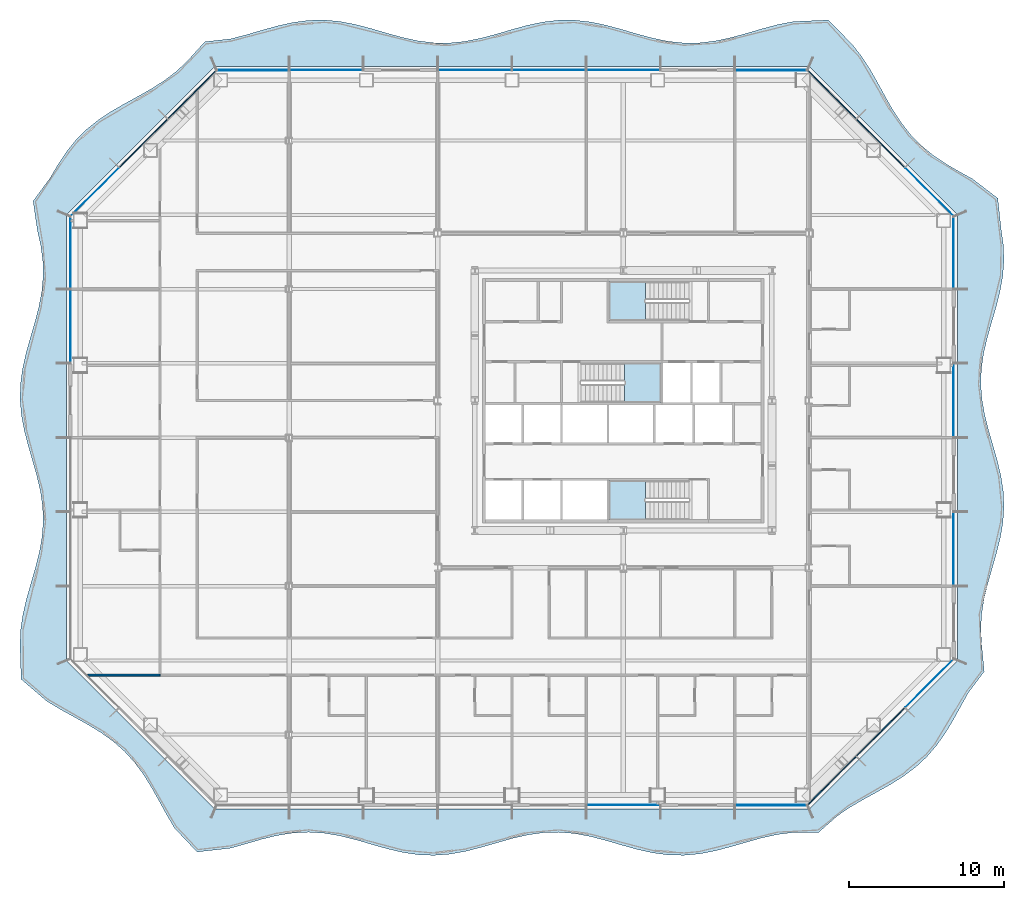
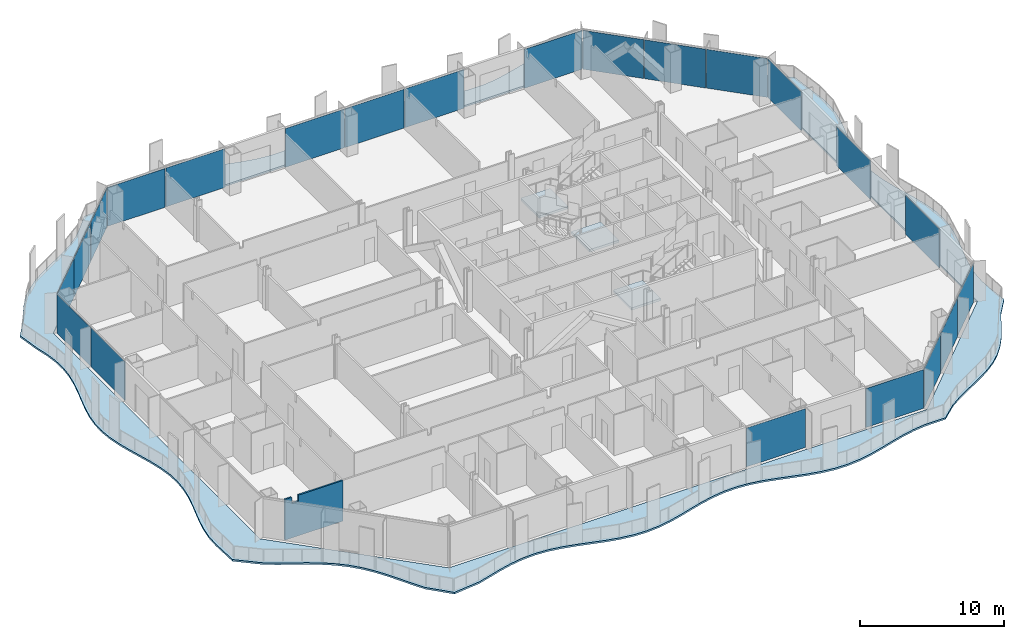
# One storey, part 5 of 20: 22 plates, 4 slabs, 1 wall, 10 elements without a shape of their own.
"""IFC4 building model written with IfcOpenShell, lengths in metres."""

from ifc_helpers import new_model, si_unit, direction, frame, origin, origin_2d, place, context, subcontext, project, spatial, polyline, rectangle, outline, extrude, material, layer, layer_set, type_object, element, aggregate, save


model = new_model("IFC4")

# Units and contexts
model_context = context("Model", 3, precision=1e-05, world=origin(), true_north=direction((0.0, 1.0)))
body_context = subcontext(model_context, "Body", "Model", "MODEL_VIEW")
ifc_project = project(units=[si_unit("LENGTHUNIT", "METRE"), si_unit("AREAUNIT", "SQUARE_METRE"), si_unit("VOLUMEUNIT", "CUBIC_METRE"), si_unit("PLANEANGLEUNIT", "RADIAN"), si_unit("MASSUNIT", "GRAM", prefix="KILO")], contexts=[model_context])

# Site, building, storey
site_placement = place(None, origin())
site = spatial("IfcSite", under=ifc_project, at=site_placement, CompositionType="ELEMENT")
building_placement = place(site_placement, origin())
building = spatial("IfcBuilding", under=site, at=building_placement, Name="Cairn Pilgrim Tower", CompositionType="ELEMENT")
storey_placement = place(building_placement, frame((0.0, 0.0, 83.39990234375)))
storey = spatial("IfcBuildingStorey", under=building, at=storey_placement, Name="L19", CompositionType="ELEMENT", Elevation=83.39990234375)

# Slab
ifc_material_1 = material(Name="Concrete C35/45", Category="concrete")
ifc_layer_1 = layer(ifc_material_1, 0.14990234375)
ifc_layer_set_1 = layer_set([ifc_layer_1], Name="BALCONY SLAB 150 CONCRETE C35/45")
slab_type_1 = type_object("IfcSlabType", Name="BALCONY SLAB 150 CONCRETE C35/45", PredefinedType="FLOOR", material=ifc_layer_set_1)
slab_1_placement = place(storey_placement, frame((0.0, 0.0, -0.14990234375)))
element("IfcSlab", 1, at=slab_1_placement, inside=storey, type_object=slab_type_1, Name="Balcony slab BS-1", PredefinedType="FLOOR", context=body_context, shape_type="SweptSolid", body=[
    extrude(outline(polyline([(-21.810791015625, -25.239501953125), (-20.3515625, -26.7802734375), (-18.189453125, -26.5341796875), (-17.178955078125, -26.243896484375), (-16.16845703125, -25.954345703125), (-15.157958984375, -25.7109375), (-14.1474609375, -25.55126953125), (-13.136962890625, -25.500244140625), (-12.126220703125, -25.565673828125), (-11.11572265625, -25.737548828125), (-10.105224609375, -25.989013671875), (-9.0947265625, -26.281005859375), (-8.084228515625, -26.568115234375), (-7.07373046875, -26.805908203125), (-6.063232421875, -26.957275390625), (-5.052734375, -26.998779296875), (-4.0419921875, -26.923828125), (-3.031494140625, -26.744140625), (-2.02099609375, -26.487548828125), (-1.010498046875, -26.1943359375), (0.0, -25.909423828125), (1.010498046875, -25.677734375), (2.02099609375, -25.534912109375), (3.031494140625, -25.503173828125), (4.0419921875, -25.58740234375), (5.052734375, -25.77490234375), (6.063232421875, -26.035888671875), (7.07373046875, -26.33056640625), (8.084228515625, -26.6123046875), (9.0947265625, -26.838134765625), (10.105224609375, -26.97216796875), (11.11572265625, -26.994140625), (12.126220703125, -26.900634765625), (13.136962890625, -26.705810546875), (14.1474609375, -26.440185546875), (15.157958984375, -26.14501953125), (16.16845703125, -25.865966796875), (17.178955078125, -25.64697265625), (18.189453125, -25.521484375), (19.8251953125, -25.50927734375), (21.021240234375, -24.449951171875), (21.840576171875, -23.897705078125), (22.7060546875, -23.391845703125), (23.591796875, -22.906005859375), (24.46923828125, -22.412109375), (25.31103515625, -21.882568359375), (26.094482421875, -21.294677734375), (26.805908203125, -20.634521484375), (27.441650390625, -19.898681640625), (28.008544921875, -19.09423828125), (28.523681640625, -18.238037109375), (29.011962890625, -17.354736328125), (29.5009765625, -16.472412109375), (30.524658203125, -15.1142578125), (30.360595703125, -13.406982421875), (30.300048828125, -12.413818359375), (30.352294921875, -11.420654296875), (30.509033203125, -10.427490234375), (30.747314453125, -9.4345703125), (31.03076171875, -8.44140625), (31.3173828125, -7.4482421875), (31.563720703125, -6.455078125), (31.73291015625, -5.462158203125), (31.799560546875, -4.468994140625), (31.753662109375, -3.475830078125), (31.60205078125, -2.482666015625), (31.367431640625, -1.48974609375), (31.08544921875, -0.49658203125), (30.7978515625, 0.49658203125), (30.54833984375, 1.48974609375), (30.3740234375, 2.482666015625), (30.30126953125, 3.475830078125), (30.341064453125, 4.468994140625), (30.487060546875, 5.462158203125), (30.7177734375, 6.455078125), (30.99853515625, 7.4482421875), (31.286865234375, 8.44140625), (31.53955078125, 9.4345703125), (31.71875, 10.427490234375), (31.797607421875, 11.420654296875), (31.76416015625, 12.413818359375), (31.62353515625, 13.406982421875), (31.396728515625, 15.4755859375), (29.758056640625, 16.7294921875), (28.872314453125, 17.21533203125), (28.0078125, 17.72216796875), (27.18994140625, 18.275634765625), (26.437744140625, 18.89501953125), (25.7607421875, 19.58935546875), (25.15771484375, 20.357666015625), (24.61669921875, 21.18798828125), (24.116943359375, 22.059814453125), (23.632080078125, 22.9462890625), (23.133056640625, 23.818603515625), (22.593017578125, 24.650146484375), (21.991455078125, 25.420166015625), (20.439697265625, 26.992919921875), (18.189453125, 26.89501953125), (17.178955078125, 26.697021484375), (16.16845703125, 26.429443359375), (15.157958984375, 26.134033203125), (14.1474609375, 25.856689453125), (13.136962890625, 25.640380859375), (12.126220703125, 25.51904296875), (11.11572265625, 25.510986328125), (10.105224609375, 25.617919921875), (9.0947265625, 25.8232421875), (8.084228515625, 26.0947265625), (7.07373046875, 26.390380859375), (6.063232421875, 26.6640625), (5.052734375, 26.87353515625), (4.0419921875, 26.986083984375), (3.031494140625, 26.984375), (2.02099609375, 26.868408203125), (1.010498046875, 26.65625), (0.0, 26.381103515625), (-1.010498046875, 26.08544921875), (-2.02099609375, 25.8154296875), (-3.031494140625, 25.613037109375), (-4.0419921875, 25.509521484375), (-5.052734375, 25.52099609375), (-6.063232421875, 25.64599609375), (-7.07373046875, 25.86474609375), (-8.084228515625, 26.1435546875), (-9.0947265625, 26.438720703125), (-10.105224609375, 26.70458984375), (-11.11572265625, 26.89990234375), (-12.126220703125, 26.994140625), (-13.136962890625, 26.97265625), (-14.1474609375, 26.8388671875), (-15.157958984375, 26.61376953125), (-16.16845703125, 26.33203125), (-17.178955078125, 26.037353515625), (-18.189453125, 25.77587890625), (-19.85791015625, 25.588134765625), (-20.949462890625, 24.378173828125), (-21.651611328125, 23.708740234375), (-22.4267578125, 23.112548828125), (-23.262451171875, 22.57666015625), (-24.136962890625, 22.079833984375), (-25.023193359375, 21.5947265625), (-25.892822265625, 21.0927734375), (-26.718994140625, 20.54736328125), (-27.481689453125, 19.93896484375), (-28.170166015625, 19.255859375), (-28.783935546875, 18.498046875), (-29.3330078125, 17.67578125), (-29.837158203125, 16.80859375), (-30.953369140625, 15.2919921875), (-30.677734375, 13.406982421875), (-30.458251953125, 12.413818359375), (-30.327392578125, 11.420654296875), (-30.30517578125, 10.427490234375), (-30.394775390625, 9.4345703125), (-30.5830078125, 8.44140625), (-30.841064453125, 7.4482421875), (-31.130615234375, 6.455078125), (-31.407958984375, 5.462158203125), (-31.631591796875, 4.468994140625), (-31.76806640625, 3.475830078125), (-31.79638671875, 2.482666015625), (-31.712890625, 1.48974609375), (-31.52978515625, 0.49658203125), (-31.2744140625, -0.49658203125), (-30.985595703125, -1.48974609375), (-30.706298828125, -2.482666015625), (-30.478759765625, -3.475830078125), (-30.3369140625, -4.468994140625), (-30.302001953125, -5.462158203125), (-30.379638671875, -6.455078125), (-30.557861328125, -7.4482421875), (-30.81005859375, -8.44140625), (-31.09814453125, -9.4345703125), (-31.379150390625, -10.427490234375), (-31.610595703125, -11.420654296875), (-31.758056640625, -12.413818359375), (-31.798828125, -13.406982421875), (-31.7275390625, -15.612548828125), (-30.0654296875, -17.036865234375), (-29.209228515625, -17.552001953125), (-28.325927734375, -18.0400390625), (-27.443603515625, -18.529296875), (-26.590576171875, -19.0478515625), (-25.791015625, -19.61962890625), (-25.06103515625, -20.260986328125), (-24.40673828125, -20.978271484375), (-23.82421875, -21.76708984375), (-23.298095703125, -22.6123046875), (-22.805908203125, -23.491455078125), (-22.319580078125, -24.376708984375), (-21.810791015625, -25.239501953125)]), holes=[polyline([(19.199951171875, -24.0), (-19.199951171875, -24.0), (-28.800048828125, -14.39990234375), (-28.800048828125, 14.39990234375), (-19.199951171875, 24.0), (19.199951171875, 24.0), (28.800048828125, 14.39990234375), (28.800048828125, -14.39990234375), (19.199951171875, -24.0)])]), origin(), (0.0, 0.0, 1.0), 0.14990234375),
])

# Curtain wall, plate
ifc_material_2 = material(Name="Aluminium alloy 6063-T6 bronze anodised with Bronze tinted laminated low-E glass 8+16+8.8", Category="aluminium")
curtain_wall_type_1 = type_object("IfcCurtainWallType", Name="CHAMFER CORNER CURTAIN WALL", PredefinedType="NOTDEFINED", material=ifc_material_2)
curtain_wall_1_placement = place(storey_placement, origin())
curtain_wall_1 = element("IfcCurtainWall", 2, at=curtain_wall_1_placement, inside=storey, type_object=curtain_wall_type_1, Name="Chamfer Corner Curtain Wall SE", PredefinedType="NOTDEFINED")
ifc_material_3 = material(Name="Bronze anodised aluminium spandrel panel with mineral wool insulation", Category="aluminium")
ifc_layer_2 = layer(ifc_material_3, 0.06005859375)
ifc_layer_set_2 = layer_set([ifc_layer_2], Name="SPANDREL PANEL 4386x3300")
plate_type_1 = type_object("IfcPlateType", Name="SPANDREL PANEL 4386x3300", PredefinedType="CURTAIN_PANEL", material=ifc_layer_set_2)
plate_1_placement = place(storey_placement, frame((20.675537109375, -22.1708984375, 0.0), z_axis=(0.0, 0.0, 1.0), x_axis=(0.707106781187, 0.707106781187, 0.0)))
plate_1 = element("IfcPlate", 3, at=plate_1_placement, type_object=plate_type_1, Name="Spandrel Panel SE1-1", PredefinedType="CURTAIN_PANEL", context=body_context, shape_type="SweptSolid", body=[
    extrude(rectangle(XDim=4.386474609375, YDim=0.06005859375, at=origin_2d()), origin(), (0.0, 0.0, 1.0), 3.300048828125),
])

curtain_wall_2_placement = place(storey_placement, origin())
curtain_wall_2 = element("IfcCurtainWall", 4, at=curtain_wall_2_placement, inside=storey, type_object=curtain_wall_type_1, Name="Chamfer Corner Curtain Wall NE", PredefinedType="NOTDEFINED")
plate_2_placement = place(storey_placement, frame((20.675537109375, 22.1708984375, 0.0), z_axis=(0.0, 0.0, 1.0), x_axis=(-0.707106781187, 0.707106781187, 0.0)))
plate_2 = element("IfcPlate", 5, at=plate_2_placement, type_object=plate_type_1, Name="Spandrel Panel NE3-1", PredefinedType="CURTAIN_PANEL", context=body_context, shape_type="SweptSolid", body=[
    extrude(rectangle(XDim=4.386474609375, YDim=0.06005859375, at=origin_2d()), origin(), (0.0, 0.0, 1.0), 3.300048828125),
])

curtain_wall_3_placement = place(storey_placement, origin())
curtain_wall_3 = element("IfcCurtainWall", 6, at=curtain_wall_3_placement, inside=storey, type_object=curtain_wall_type_1, Name="Chamfer Corner Curtain Wall NW", PredefinedType="NOTDEFINED")
plate_3_placement = place(storey_placement, frame((-20.675537109375, 22.1708984375, 0.0), z_axis=(0.0, 0.0, 1.0), x_axis=(-0.707106781187, -0.707106781187, 0.0)))
plate_3 = element("IfcPlate", 7, at=plate_3_placement, type_object=plate_type_1, Name="Spandrel Panel NW1-1", PredefinedType="CURTAIN_PANEL", context=body_context, shape_type="SweptSolid", body=[
    extrude(rectangle(XDim=4.386474609375, YDim=0.06005859375, at=origin_2d()), origin(), (0.0, 0.0, 1.0), 3.300048828125),
])

# Plate
ifc_layer_3 = layer(ifc_material_3, 0.06005859375)
ifc_layer_set_3 = layer_set([ifc_layer_3], Name="SPANDREL PANEL 4396x3300")
plate_type_2 = type_object("IfcPlateType", Name="SPANDREL PANEL 4396x3300", PredefinedType="CURTAIN_PANEL", material=ifc_layer_set_3)
plate_4_placement = place(storey_placement, frame((23.8232421875, -19.023193359375, 0.0), z_axis=(0.0, 0.0, 1.0), x_axis=(0.707106781187, 0.707106781187, 0.0)))
plate_4 = element("IfcPlate", 8, at=plate_4_placement, type_object=plate_type_2, Name="Spandrel Panel SE2-1", PredefinedType="CURTAIN_PANEL", context=body_context, shape_type="SweptSolid", body=[
    extrude(rectangle(XDim=4.396484375, YDim=0.06005859375, at=origin_2d()), origin(), (0.0, 0.0, 1.0), 3.300048828125),
])

plate_5_placement = place(storey_placement, frame((23.8232421875, 19.023193359375, 0.0), z_axis=(0.0, 0.0, 1.0), x_axis=(-0.707106781187, 0.707106781187, 0.0)))
plate_5 = element("IfcPlate", 9, at=plate_5_placement, type_object=plate_type_2, Name="Spandrel Panel NE2-1", PredefinedType="CURTAIN_PANEL", context=body_context, shape_type="SweptSolid", body=[
    extrude(rectangle(XDim=4.396484375, YDim=0.06005859375, at=origin_2d()), origin(), (0.0, 0.0, 1.0), 3.300048828125),
])

plate_6_placement = place(storey_placement, frame((-23.8232421875, 19.023193359375, 0.0), z_axis=(0.0, 0.0, 1.0), x_axis=(-0.707106781187, -0.707106781187, 0.0)))
plate_6 = element("IfcPlate", 10, at=plate_6_placement, type_object=plate_type_2, Name="Spandrel Panel NW2-1", PredefinedType="CURTAIN_PANEL", context=body_context, shape_type="SweptSolid", body=[
    extrude(rectangle(XDim=4.396484375, YDim=0.06005859375, at=origin_2d()), origin(), (0.0, 0.0, 1.0), 3.300048828125),
])

# Curtain wall, plate
curtain_wall_type_2 = type_object("IfcCurtainWallType", Name="TOWER STICK CURTAIN WALL NS", PredefinedType="NOTDEFINED", material=ifc_material_2)
curtain_wall_4_placement = place(storey_placement, origin())
curtain_wall_4 = element("IfcCurtainWall", 11, at=curtain_wall_4_placement, inside=storey, type_object=curtain_wall_type_2, Name="Tower Stick Curtain Wall Ns S", PredefinedType="NOTDEFINED")
ifc_layer_4 = layer(ifc_material_3, 0.06005859375)
ifc_layer_set_4 = layer_set([ifc_layer_4], Name="SPANDREL PANEL 4626x3300")
plate_type_3 = type_object("IfcPlateType", Name="SPANDREL PANEL 4626x3300", PredefinedType="CURTAIN_PANEL", material=ifc_layer_set_4)
plate_7_placement = place(storey_placement, frame((16.7431640625, -23.75, 0.0), z_axis=(0.0, 0.0, 1.0), x_axis=(1.0, 0.0, 0.0)))
plate_7 = element("IfcPlate", 12, at=plate_7_placement, type_object=plate_type_3, Name="Spandrel Panel S8-1", PredefinedType="CURTAIN_PANEL", context=body_context, shape_type="SweptSolid", body=[
    extrude(rectangle(XDim=4.62646484375, YDim=0.06005859375, at=origin_2d()), origin(), (0.0, 0.0, 1.0), 3.300048828125),
])

# Curtain wall, plates
curtain_wall_5_placement = place(storey_placement, origin())
curtain_wall_5 = element("IfcCurtainWall", 13, at=curtain_wall_5_placement, inside=storey, type_object=curtain_wall_type_2, Name="Tower Stick Curtain Wall Ns N", PredefinedType="NOTDEFINED")
plate_8_placement = place(storey_placement, frame((16.7431640625, 23.75, 0.0), z_axis=(0.0, 0.0, 1.0), x_axis=(-1.0, 0.0, 0.0)))
plate_8 = element("IfcPlate", 14, at=plate_8_placement, type_object=plate_type_3, Name="Spandrel Panel N1-1", PredefinedType="CURTAIN_PANEL", context=body_context, shape_type="SweptSolid", body=[
    extrude(rectangle(XDim=4.62646484375, YDim=0.06005859375, at=origin_2d()), origin(), (0.0, 0.0, 1.0), 3.300048828125),
])
plate_9_placement = place(storey_placement, frame((-16.7431640625, 23.75, 0.0), z_axis=(0.0, 0.0, 1.0), x_axis=(-1.0, 0.0, 0.0)))
plate_9 = element("IfcPlate", 15, at=plate_9_placement, type_object=plate_type_3, Name="Spandrel Panel N8-1", PredefinedType="CURTAIN_PANEL", context=body_context, shape_type="SweptSolid", body=[
    extrude(rectangle(XDim=4.62646484375, YDim=0.06005859375, at=origin_2d()), origin(), (0.0, 0.0, 1.0), 3.300048828125),
])

# Stair, slab
ifc_material_4 = material(Name="Concrete C32/40", Category="concrete")
stair_type = type_object("IfcStairType", Name="EXIT STAIR 1200", PredefinedType="HALF_TURN_STAIR", material=ifc_material_4)
stair_1_placement = place(storey_placement, origin())
stair_1 = element("IfcStair", 16, at=stair_1_placement, inside=storey, type_object=stair_type, Name="L19 Exit Stair A", PredefinedType="HALF_TURN_STAIR")
ifc_layer_5 = layer(ifc_material_4, 0.199951171875)
ifc_layer_set_5 = layer_set([ifc_layer_5], Name="STAIR LANDING 200")
slab_type_2 = type_object("IfcSlabType", Name="STAIR LANDING 200", PredefinedType="LANDING", material=ifc_layer_set_5)
slab_2_placement = place(storey_placement, frame((0.0, 0.0, 1.60009765625)))
slab_2 = element("IfcSlab", 17, at=slab_2_placement, type_object=slab_type_2, Name="ST-A landing 1", PredefinedType="LANDING", context=body_context, shape_type="SweptSolid", body=[
    extrude(outline(polyline([(8.625, -2.77490234375), (6.27490234375, -2.77490234375), (6.27490234375, -5.300048828125), (8.625, -5.300048828125), (8.625, -2.77490234375)])), origin(), (0.0, 0.0, 1.0), 0.199951171875),
])
aggregate(stair_1, [slab_2])

stair_2_placement = place(storey_placement, origin())
stair_2 = element("IfcStair", 18, at=stair_2_placement, inside=storey, type_object=stair_type, Name="L19 Exit Stair B", PredefinedType="HALF_TURN_STAIR")
slab_3_placement = place(storey_placement, frame((0.0, 0.0, 1.60009765625)))
slab_3 = element("IfcSlab", 19, at=slab_3_placement, type_object=slab_type_2, Name="ST-B landing 1", PredefinedType="LANDING", context=body_context, shape_type="SweptSolid", body=[
    extrude(outline(polyline([(7.27490234375, 2.27490234375), (9.625, 2.27490234375), (9.625, 4.824951171875), (7.27490234375, 4.824951171875), (7.27490234375, 2.27490234375)])), origin(), (0.0, 0.0, 1.0), 0.199951171875),
])
aggregate(stair_2, [slab_3])

stair_3_placement = place(storey_placement, origin())
stair_3 = element("IfcStair", 20, at=stair_3_placement, inside=storey, type_object=stair_type, Name="L19 Exit Stair C", PredefinedType="HALF_TURN_STAIR")
slab_4_placement = place(storey_placement, frame((0.0, 0.0, 1.60009765625)))
slab_4 = element("IfcSlab", 21, at=slab_4_placement, type_object=slab_type_2, Name="ST-C landing 1", PredefinedType="LANDING", context=body_context, shape_type="SweptSolid", body=[
    extrude(outline(polyline([(8.625, 10.10009765625), (6.27490234375, 10.10009765625), (6.27490234375, 7.574951171875), (8.625, 7.574951171875), (8.625, 10.10009765625)])), origin(), (0.0, 0.0, 1.0), 0.199951171875),
])
aggregate(stair_3, [slab_4])

# Plate
ifc_material_5 = material(Name="Bronze tinted laminated low-E glass 8+16+8.8", Category="glass")
ifc_layer_6 = layer(ifc_material_5, 0.033935546875)
ifc_layer_set_6 = layer_set([ifc_layer_6], Name="VISION GLAZING 4386x3300")
plate_type_4 = type_object("IfcPlateType", Name="VISION GLAZING 4386x3300", PredefinedType="CURTAIN_PANEL", material=ifc_layer_set_6)
plate_10_placement = place(storey_placement, frame((26.970947265625, -15.87548828125, 0.0), z_axis=(0.0, 0.0, 1.0), x_axis=(0.707106781187, 0.707106781187, 0.0)))
plate_10 = element("IfcPlate", 22, at=plate_10_placement, type_object=plate_type_4, Name="Vision Glazing SE3-1", PredefinedType="CURTAIN_PANEL", context=body_context, shape_type="SweptSolid", body=[
    extrude(rectangle(XDim=4.386474609375, YDim=0.033935546875, at=origin_2d()), origin(), (0.0, 0.0, 1.0), 3.300048828125),
])

aggregate(curtain_wall_1, [plate_1, plate_4, plate_10])

plate_11_placement = place(storey_placement, frame((26.970947265625, 15.87548828125, 0.0), z_axis=(0.0, 0.0, 1.0), x_axis=(-0.707106781187, 0.707106781187, 0.0)))
plate_11 = element("IfcPlate", 23, at=plate_11_placement, type_object=plate_type_4, Name="Vision Glazing NE1-1", PredefinedType="CURTAIN_PANEL", context=body_context, shape_type="SweptSolid", body=[
    extrude(rectangle(XDim=4.386474609375, YDim=0.033935546875, at=origin_2d()), origin(), (0.0, 0.0, 1.0), 3.300048828125),
])

aggregate(curtain_wall_2, [plate_11, plate_5, plate_2])

plate_12_placement = place(storey_placement, frame((-26.970947265625, 15.87548828125, 0.0), z_axis=(0.0, 0.0, 1.0), x_axis=(-0.707106781187, -0.707106781187, 0.0)))
plate_12 = element("IfcPlate", 24, at=plate_12_placement, type_object=plate_type_4, Name="Vision Glazing NW3-1", PredefinedType="CURTAIN_PANEL", context=body_context, shape_type="SweptSolid", body=[
    extrude(rectangle(XDim=4.386474609375, YDim=0.033935546875, at=origin_2d()), origin(), (0.0, 0.0, 1.0), 3.300048828125),
])

aggregate(curtain_wall_3, [plate_3, plate_6, plate_12])

# Curtain wall, plate
curtain_wall_type_3 = type_object("IfcCurtainWallType", Name="TOWER STICK CURTAIN WALL EW", PredefinedType="NOTDEFINED", material=ifc_material_2)
curtain_wall_6_placement = place(storey_placement, origin())
curtain_wall_6 = element("IfcCurtainWall", 25, at=curtain_wall_6_placement, inside=storey, type_object=curtain_wall_type_3, Name="Tower Stick Curtain Wall Ew E", PredefinedType="NOTDEFINED")
ifc_layer_7 = layer(ifc_material_5, 0.033935546875)
ifc_layer_set_7 = layer_set([ifc_layer_7], Name="VISION GLAZING 4626x3300")
plate_type_5 = type_object("IfcPlateType", Name="VISION GLAZING 4626x3300", PredefinedType="CURTAIN_PANEL", material=ifc_layer_set_7)
plate_13_placement = place(storey_placement, frame((28.550048828125, 11.943115234375, 0.0), z_axis=(0.0, 0.0, 1.0), x_axis=(0.0, 1.0, 0.0)))
plate_13 = element("IfcPlate", 26, at=plate_13_placement, type_object=plate_type_5, Name="Vision Glazing E6-1", PredefinedType="CURTAIN_PANEL", context=body_context, shape_type="SweptSolid", body=[
    extrude(rectangle(XDim=4.62646484375, YDim=0.033935546875, at=origin_2d()), origin(), (0.0, 0.0, 1.0), 3.300048828125),
])

curtain_wall_7_placement = place(storey_placement, origin())
curtain_wall_7 = element("IfcCurtainWall", 27, at=curtain_wall_7_placement, inside=storey, type_object=curtain_wall_type_3, Name="Tower Stick Curtain Wall Ew W", PredefinedType="NOTDEFINED")
plate_14_placement = place(storey_placement, frame((-28.550048828125, 11.943115234375, 0.0), z_axis=(0.0, 0.0, 1.0), x_axis=(0.0, -1.0, 0.0)))
plate_14 = element("IfcPlate", 28, at=plate_14_placement, type_object=plate_type_5, Name="Vision Glazing W1-1", PredefinedType="CURTAIN_PANEL", context=body_context, shape_type="SweptSolid", body=[
    extrude(rectangle(XDim=4.62646484375, YDim=0.033935546875, at=origin_2d()), origin(), (0.0, 0.0, 1.0), 3.300048828125),
])

# Plate
ifc_layer_8 = layer(ifc_material_5, 0.033935546875)
ifc_layer_set_8 = layer_set([ifc_layer_8], Name="VISION GLAZING 4740x3300")
plate_type_6 = type_object("IfcPlateType", Name="VISION GLAZING 4740x3300", PredefinedType="CURTAIN_PANEL", material=ifc_layer_set_8)
plate_15_placement = place(storey_placement, frame((7.199951171875, -23.75, 0.0), z_axis=(0.0, 0.0, 1.0), x_axis=(1.0, 0.0, 0.0)))
plate_15 = element("IfcPlate", 29, at=plate_15_placement, type_object=plate_type_6, Name="Vision Glazing S6-1", PredefinedType="CURTAIN_PANEL", context=body_context, shape_type="SweptSolid", body=[
    extrude(rectangle(XDim=4.739990234375, YDim=0.033935546875, at=origin_2d()), origin(), (0.0, 0.0, 1.0), 3.300048828125),
])

aggregate(curtain_wall_4, [plate_15, plate_7])

plate_16_placement = place(storey_placement, frame((28.550048828125, -7.199951171875, 0.0), z_axis=(0.0, 0.0, 1.0), x_axis=(0.0, 1.0, 0.0)))
plate_16 = element("IfcPlate", 30, at=plate_16_placement, type_object=plate_type_6, Name="Vision Glazing E2-1", PredefinedType="CURTAIN_PANEL", context=body_context, shape_type="SweptSolid", body=[
    extrude(rectangle(XDim=4.739990234375, YDim=0.033935546875, at=origin_2d()), origin(), (0.0, 0.0, 1.0), 3.300048828125),
])

plate_17_placement = place(storey_placement, frame((28.550048828125, 2.39990234375, 0.0), z_axis=(0.0, 0.0, 1.0), x_axis=(0.0, 1.0, 0.0)))
plate_17 = element("IfcPlate", 31, at=plate_17_placement, type_object=plate_type_6, Name="Vision Glazing E4-1", PredefinedType="CURTAIN_PANEL", context=body_context, shape_type="SweptSolid", body=[
    extrude(rectangle(XDim=4.739990234375, YDim=0.033935546875, at=origin_2d()), origin(), (0.0, 0.0, 1.0), 3.300048828125),
])

aggregate(curtain_wall_6, [plate_16, plate_17, plate_13])

plate_18_placement = place(storey_placement, frame((7.199951171875, 23.75, 0.0), z_axis=(0.0, 0.0, 1.0), x_axis=(-1.0, 0.0, 0.0)))
plate_18 = element("IfcPlate", 32, at=plate_18_placement, type_object=plate_type_6, Name="Vision Glazing N3-1", PredefinedType="CURTAIN_PANEL", context=body_context, shape_type="SweptSolid", body=[
    extrude(rectangle(XDim=4.739990234375, YDim=0.033935546875, at=origin_2d()), origin(), (0.0, 0.0, 1.0), 3.300048828125),
])

plate_19_placement = place(storey_placement, frame((2.39990234375, 23.75, 0.0), z_axis=(0.0, 0.0, 1.0), x_axis=(-1.0, 0.0, 0.0)))
plate_19 = element("IfcPlate", 33, at=plate_19_placement, type_object=plate_type_6, Name="Vision Glazing N4-1", PredefinedType="CURTAIN_PANEL", context=body_context, shape_type="SweptSolid", body=[
    extrude(rectangle(XDim=4.739990234375, YDim=0.033935546875, at=origin_2d()), origin(), (0.0, 0.0, 1.0), 3.300048828125),
])

plate_20_placement = place(storey_placement, frame((-2.39990234375, 23.75, 0.0), z_axis=(0.0, 0.0, 1.0), x_axis=(-1.0, 0.0, 0.0)))
plate_20 = element("IfcPlate", 34, at=plate_20_placement, type_object=plate_type_6, Name="Vision Glazing N5-1", PredefinedType="CURTAIN_PANEL", context=body_context, shape_type="SweptSolid", body=[
    extrude(rectangle(XDim=4.739990234375, YDim=0.033935546875, at=origin_2d()), origin(), (0.0, 0.0, 1.0), 3.300048828125),
])

plate_21_placement = place(storey_placement, frame((-12.0, 23.75, 0.0), z_axis=(0.0, 0.0, 1.0), x_axis=(-1.0, 0.0, 0.0)))
plate_21 = element("IfcPlate", 35, at=plate_21_placement, type_object=plate_type_6, Name="Vision Glazing N7-1", PredefinedType="CURTAIN_PANEL", context=body_context, shape_type="SweptSolid", body=[
    extrude(rectangle(XDim=4.739990234375, YDim=0.033935546875, at=origin_2d()), origin(), (0.0, 0.0, 1.0), 3.300048828125),
])

aggregate(curtain_wall_5, [plate_8, plate_18, plate_19, plate_20, plate_21, plate_9])

plate_22_placement = place(storey_placement, frame((-28.550048828125, 7.199951171875, 0.0), z_axis=(0.0, 0.0, 1.0), x_axis=(0.0, -1.0, 0.0)))
plate_22 = element("IfcPlate", 36, at=plate_22_placement, type_object=plate_type_6, Name="Vision Glazing W2-1", PredefinedType="CURTAIN_PANEL", context=body_context, shape_type="SweptSolid", body=[
    extrude(rectangle(XDim=4.739990234375, YDim=0.033935546875, at=origin_2d()), origin(), (0.0, 0.0, 1.0), 3.300048828125),
])

aggregate(curtain_wall_7, [plate_14, plate_22])

# Wall
ifc_material_6 = material(Name="Gypsum partition")
ifc_layer_9 = layer(ifc_material_6, 0.125)
ifc_layer_set_9 = layer_set([ifc_layer_9], Name="PARTITION 125 DRYWALL EI 60")
wall_type = type_object("IfcWallType", Name="PARTITION 125 DRYWALL EI 60", PredefinedType="PARTITIONING", material=ifc_layer_set_9)
wall_placement = place(storey_placement, frame((-27.406982421875, -15.35009765625, 0.0), z_axis=(0.0, 0.0, 1.0), x_axis=(1.0, 0.0, 0.0)))
element("IfcWall", 37, at=wall_placement, inside=storey, type_object=wall_type, Name="PARTITION W022", PredefinedType="PARTITIONING", context=body_context, shape_type="SweptSolid", body=[
    extrude(outline(polyline([(0.0, 0.0), (4.656982421875, 0.0), (4.656982421875, 3.4501953125), (1.1044921875, 3.4501953125), (1.102294921875, 2.93017578125), (0.55517578125, 2.93017578125), (0.552978515625, 3.4501953125), (0.0, 3.4501953125), (0.0, 0.0)])), frame((0.0, 0.0625, 0.0), z_axis=(0.0, -1.0, 0.0), x_axis=(1.0, 0.0, 0.0)), (0.0, 0.0, 1.0), 0.125),
])

save(model, "model.ifc")
